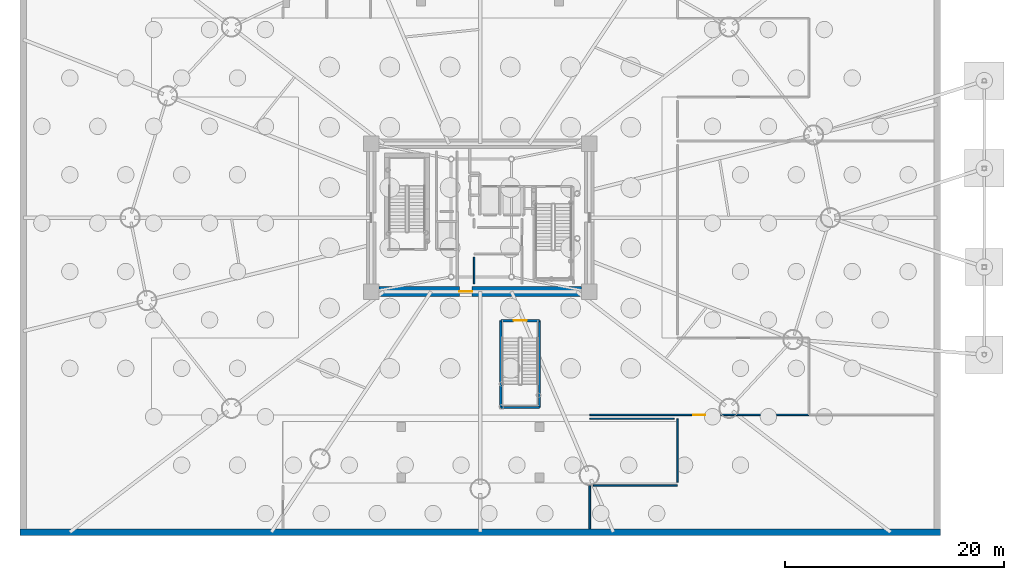
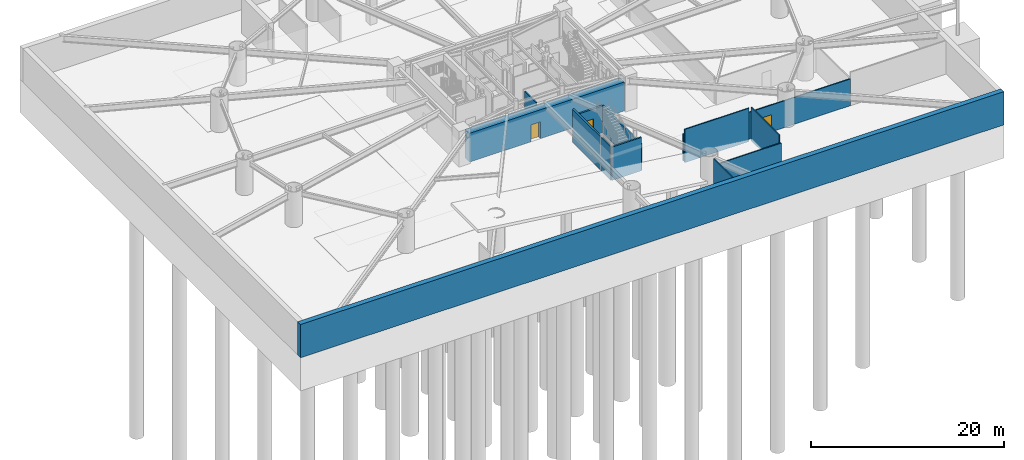
# One storey, part 9 of 18: 12 walls, 3 doors, 3 openings.
"""IFC4 building model written with IfcOpenShell, lengths in metres."""

from ifc_helpers import new_model, si_unit, direction, frame, frame_2d, origin, origin_2d, place, context, subcontext, project, spatial, rectangle, extrude, source, transform, mapped, material, layer, layer_set, type_object, element, fill, save


model = new_model("IFC4")

# Units and contexts
model_context = context("Model", 3, precision=1e-05, world=origin(), true_north=direction((0.0, 1.0)))
body_context = subcontext(model_context, "Body", "Model", "MODEL_VIEW")
ifc_project = project(units=[si_unit("LENGTHUNIT", "METRE"), si_unit("AREAUNIT", "SQUARE_METRE"), si_unit("VOLUMEUNIT", "CUBIC_METRE"), si_unit("PLANEANGLEUNIT", "RADIAN"), si_unit("MASSUNIT", "GRAM", prefix="KILO")], contexts=[model_context])

# Site, building, storey
site_placement = place(None, origin())
site = spatial("IfcSite", under=ifc_project, at=site_placement, CompositionType="ELEMENT")
building_placement = place(site_placement, origin())
building = spatial("IfcBuilding", under=site, at=building_placement, Name="Linh Dai School and Residence Tower", CompositionType="ELEMENT")
storey_placement = place(building_placement, frame((0.0, 0.0, -9.0)))
storey = spatial("IfcBuildingStorey", under=building, at=storey_placement, Name="B02", CompositionType="ELEMENT", Elevation=-9.0)

# Wall, opening, door
ifc_material_1 = material(Name="Autoclaved Aerated Concrete Blockwork", Category="masonry")
ifc_layer_1 = layer(ifc_material_1, 0.135009765625)
ifc_layer_set_1 = layer_set([ifc_layer_1], Name="Autoclaved Aerated Concrete Blockwork")
wall_type_1 = type_object("IfcWallType", Name="IW-CORR-135-EI90", PredefinedType="PARTITIONING", material=ifc_layer_set_1)
wall_1_placement = place(storey_placement, frame((46.0, 9.0, 0.0), z_axis=(0.0, 0.0, 1.0), x_axis=(1.0, 0.0, 0.0)))
wall_1 = element("IfcWall", 1, at=wall_1_placement, inside=storey, type_object=wall_type_1, Name="B02 Interior Partition Wall 032", PredefinedType="PARTITIONING", context=body_context, shape_type="SweptSolid", body=[
    extrude(rectangle(XDim=20.0, YDim=0.135009765625, at=frame_2d((10.0, 0.0))), origin(), (0.0, 0.0, 1.0), 3.385009765625),
])
opening_1_placement = place(wall_1_placement, frame((9.449951171875, 0.0, 0.0)))
opening_1 = element("IfcOpeningElement", 2, at=opening_1_placement, cuts=wall_1, Name="Opening D07", PredefinedType="OPENING", context=body_context, shape_type="SweptSolid", body=[
    extrude(rectangle(XDim=1.10009765625, YDim=2.14990234375, at=origin_2d()), frame((0.550048828125, 0.07763671875, 1.074951171875), z_axis=(0.0, -1.0, 0.0), x_axis=(1.0, 0.0, 0.0)), (0.0, 0.0, 1.0), 0.155029296875),
])
ifc_material_2 = material(Name="Fire-Rated Louvred Steel Plant Door", Category="steel")
door_type_1 = type_object("IfcDoorType", Name="DR-PLT-1100x2150-FD60S", OperationType="NOTDEFINED", PredefinedType="DOOR", material=ifc_material_2)
shared_shape_1 = source(origin(), body_context, "Body", "SweptSolid", [
    extrude(rectangle(XDim=1.10009765625, YDim=2.14990234375, at=origin_2d()), frame((0.550048828125, 0.02490234375, 1.074951171875), z_axis=(0.0, -1.0, 0.0), x_axis=(1.0, 0.0, 0.0)), (0.0, 0.0, 1.0), 0.050048828125),
])
door_1_placement = place(opening_1_placement, origin())
door_1 = element("IfcDoor", 3, at=door_1_placement, inside=storey, type_object=door_type_1, Name="B02 Fire Sprinkler and Booster Pump Plant Room Door", OperationType="SINGLE_SWING_RIGHT", OverallHeight=2.14990234375, OverallWidth=1.10009765625, PredefinedType="DOOR", context=body_context, shape_type="MappedRepresentation", body=[
    mapped(shared_shape_1, transform((0.0, 0.0, 0.0), x_axis=(1.0, 0.0, 0.0), y_axis=(0.0, 1.0, 0.0), z_axis=(0.0, 0.0, 1.0), scale=1.0)),
])
fill(opening_1, door_1)

# Walls
wall_2_placement = place(storey_placement, frame((35.449951171875, 23.392578125, 0.0), z_axis=(0.0, 0.0, 1.0), x_axis=(0.0, -1.0, 0.0)))
element("IfcWall", 4, at=wall_2_placement, inside=storey, type_object=wall_type_1, Name="B02 Interior Partition Wall 052", PredefinedType="PARTITIONING", context=body_context, shape_type="SweptSolid", body=[
    extrude(rectangle(XDim=2.4326171875, YDim=0.135009765625, at=frame_2d((1.21630859375, 0.0))), origin(), (0.0, 0.0, 1.0), 3.784912109375),
])
wall_3_placement = place(storey_placement, frame((46.3349609375, 2.550048828125, 0.0), z_axis=(0.0, 0.0, 1.0), x_axis=(1.0, 0.0, 0.0)))
element("IfcWall", 5, at=wall_3_placement, inside=storey, type_object=wall_type_1, Name="B02 Interior Partition Wall 054", PredefinedType="PARTITIONING", context=body_context, shape_type="SweptSolid", body=[
    extrude(rectangle(XDim=7.6650390625, YDim=0.135009765625, at=frame_2d((3.83251953125, 0.0))), origin(), (0.0, 0.0, 1.0), 3.385009765625),
])
wall_4_placement = place(storey_placement, frame((54.0, 2.857421875, 0.0), z_axis=(0.0, 0.0, 1.0), x_axis=(0.0, 1.0, 0.0)))
element("IfcWall", 6, at=wall_4_placement, inside=storey, type_object=wall_type_1, Name="B02 Interior Partition Wall 055", PredefinedType="PARTITIONING", context=body_context, shape_type="SweptSolid", body=[
    extrude(rectangle(XDim=5.79248046875, YDim=0.135009765625, at=frame_2d((2.896240234375, 0.0))), origin(), (0.0, 0.0, 1.0), 4.199951171875),
])
wall_5_placement = place(storey_placement, frame((53.6923828125, 8.64990234375, 0.0), z_axis=(0.0, 0.0, 1.0), x_axis=(-1.0, 0.0, 0.0)))
element("IfcWall", 7, at=wall_5_placement, inside=storey, type_object=wall_type_1, Name="B02 Interior Partition Wall 056", PredefinedType="PARTITIONING", context=body_context, shape_type="SweptSolid", body=[
    extrude(rectangle(XDim=7.6923828125, YDim=0.135009765625, at=frame_2d((3.84619140625, 0.0))), origin(), (0.0, 0.0, 1.0), 4.199951171875),
])
ifc_layer_2 = layer(ifc_material_1, 0.14990234375)
ifc_layer_set_2 = layer_set([ifc_layer_2], Name="Autoclaved Aerated Concrete Blockwork")
wall_type_2 = type_object("IfcWallType", Name="IW-SCH-150-EI60", PredefinedType="PARTITIONING", material=ifc_layer_set_2)
wall_6_placement = place(storey_placement, frame((46.0, -1.39990234375, 0.0), z_axis=(0.0, 0.0, 1.0), x_axis=(0.0, 1.0, 0.0)))
element("IfcWall", 8, at=wall_6_placement, inside=storey, type_object=wall_type_2, Name="B02 Interior Partition Wall 031", PredefinedType="PARTITIONING", context=body_context, shape_type="SweptSolid", body=[
    extrude(rectangle(XDim=3.949951171875, YDim=0.14990234375, at=frame_2d((1.97509765625, 0.0))), origin(), (0.0, 0.0, 1.0), 4.199951171875),
])
ifc_material_3 = material(Name="Concrete B45 (C35/45)", Category="concrete")
ifc_layer_3 = layer(ifc_material_3, 0.199951171875)
ifc_layer_set_3 = layer_set([ifc_layer_3], Name="Concrete B45 (C35/45)")
wall_type_3 = type_object("IfcWallType", Name="IW-SHAFT-200-EI120", PredefinedType="PARTITIONING", material=ifc_layer_set_3)
wall_7_placement = place(storey_placement, frame((37.8798828125, 9.679931640625, 0.0), z_axis=(0.0, 0.0, 1.0), x_axis=(0.0, 1.0, 0.0)))
element("IfcWall", 9, at=wall_7_placement, inside=storey, type_object=wall_type_3, Name="B02 Interior Partition Wall 020", PredefinedType="PARTITIONING", context=body_context, shape_type="SweptSolid", body=[
    extrude(rectangle(XDim=7.920166015625, YDim=0.199951171875, at=frame_2d((3.9599609375, 0.0))), origin(), (0.0, 0.0, 1.0), 4.199951171875),
])
wall_8_placement = place(storey_placement, frame((37.8798828125, 9.679931640625, 0.0), z_axis=(0.0, 0.0, 1.0), x_axis=(1.0, 0.0, 0.0)))
element("IfcWall", 10, at=wall_8_placement, inside=storey, type_object=wall_type_3, Name="B02 Interior Partition Wall 021", PredefinedType="PARTITIONING", context=body_context, shape_type="SweptSolid", body=[
    extrude(rectangle(XDim=3.5400390625, YDim=0.199951171875, at=frame_2d((1.77001953125, 0.0))), origin(), (0.0, 0.0, 1.0), 4.199951171875),
])

# Wall, opening, door
wall_9_placement = place(storey_placement, frame((37.8798828125, 17.60009765625, 0.0), z_axis=(0.0, 0.0, 1.0), x_axis=(1.0, 0.0, 0.0)))
wall_9 = element("IfcWall", 11, at=wall_9_placement, inside=storey, type_object=wall_type_3, Name="B02 Interior Partition Wall 022", PredefinedType="PARTITIONING", context=body_context, shape_type="SweptSolid", body=[
    extrude(rectangle(XDim=3.5400390625, YDim=0.199951171875, at=frame_2d((1.77001953125, 0.0))), origin(), (0.0, 0.0, 1.0), 3.385009765625),
])
opening_2_placement = place(wall_9_placement, frame((1.169921875, 0.0, 0.0)))
opening_2 = element("IfcOpeningElement", 12, at=opening_2_placement, cuts=wall_9, Name="Opening D01", PredefinedType="OPENING", context=body_context, shape_type="SweptSolid", body=[
    extrude(rectangle(XDim=1.199951171875, YDim=2.14990234375, at=origin_2d()), frame((0.60009765625, 0.10986328125, 1.074951171875), z_axis=(0.0, -1.0, 0.0), x_axis=(1.0, 0.0, 0.0)), (0.0, 0.0, 1.0), 0.219970703125),
])
ifc_material_4 = material(Name="Fire-Rated Steel Door Leaf", Category="steel")
door_type_2 = type_object("IfcDoorType", Name="DR-STAIR-1200x2150-FD90S", OperationType="NOTDEFINED", PredefinedType="DOOR", material=ifc_material_4)
shared_shape_2 = source(origin(), body_context, "Body", "SweptSolid", [
    extrude(rectangle(XDim=1.199951171875, YDim=2.14990234375, at=origin_2d()), frame((0.60009765625, 0.02490234375, 1.074951171875), z_axis=(0.0, -1.0, 0.0), x_axis=(1.0, 0.0, 0.0)), (0.0, 0.0, 1.0), 0.050048828125),
])
door_2_placement = place(opening_2_placement, origin())
door_2 = element("IfcDoor", 13, at=door_2_placement, inside=storey, type_object=door_type_2, Name="B02 Exit Stair STB1 Door", OperationType="SINGLE_SWING_LEFT", OverallHeight=2.14990234375, OverallWidth=1.199951171875, PredefinedType="DOOR", context=body_context, shape_type="MappedRepresentation", body=[
    mapped(shared_shape_2, transform((0.0, 0.0, 0.0), x_axis=(1.0, 0.0, 0.0), y_axis=(0.0, 1.0, 0.0), z_axis=(0.0, 0.0, 1.0), scale=1.0)),
])
fill(opening_2, door_2)

# Wall
wall_10_placement = place(storey_placement, frame((41.419921875, 9.679931640625, 0.0), z_axis=(0.0, 0.0, 1.0), x_axis=(0.0, 1.0, 0.0)))
element("IfcWall", 14, at=wall_10_placement, inside=storey, type_object=wall_type_3, Name="B02 Interior Partition Wall 029", PredefinedType="PARTITIONING", context=body_context, shape_type="SweptSolid", body=[
    extrude(rectangle(XDim=7.920166015625, YDim=0.199951171875, at=frame_2d((3.9599609375, 0.0))), origin(), (0.0, 0.0, 1.0), 3.385009765625),
])

# Wall, opening, door
ifc_material_5 = material(Name="Concrete B60 (C50/60)", Category="concrete")
ifc_layer_4 = layer(ifc_material_5, 0.89990234375)
ifc_layer_set_4 = layer_set([ifc_layer_4], Name="Concrete B60 (C50/60)")
wall_type_4 = type_object("IfcWallType", Name="WL-CORE900", PredefinedType="SHEAR", material=ifc_layer_set_4)
wall_11_placement = place(storey_placement, frame((45.25, 20.25, 0.0), z_axis=(0.0, 0.0, 1.0), x_axis=(-1.0, 0.0, 0.0)))
wall_11 = element("IfcWall", 15, at=wall_11_placement, inside=storey, type_object=wall_type_4, Name="B02 Central Core Shear Wall S", PredefinedType="SHEAR", context=body_context, shape_type="SweptSolid", body=[
    extrude(rectangle(XDim=18.5, YDim=0.89990234375, at=frame_2d((9.25, 0.0))), origin(), (0.0, 0.0, 1.0), 3.64990234375),
])
opening_3_placement = place(wall_11_placement, frame((10.0, 0.0, 0.0)))
opening_3 = element("IfcOpeningElement", 16, at=opening_3_placement, cuts=wall_11, Name="Opening D02", PredefinedType="OPENING", context=body_context, shape_type="SweptSolid", body=[
    extrude(rectangle(XDim=1.14990234375, YDim=2.14990234375, at=origin_2d()), frame((0.574951171875, 0.4599609375, 1.074951171875), z_axis=(0.0, -1.0, 0.0), x_axis=(1.0, 0.0, 0.0)), (0.0, 0.0, 1.0), 0.919921875),
])
ifc_material_6 = material(Name="Fire-Rated Glazed Steel Lobby Door", Category="steel")
door_type_3 = type_object("IfcDoorType", Name="DR-LOBBY-1150x2150-FD90S", OperationType="NOTDEFINED", PredefinedType="DOOR", material=ifc_material_6)
shared_shape_3 = source(origin(), body_context, "Body", "SweptSolid", [
    extrude(rectangle(XDim=1.14990234375, YDim=2.14990234375, at=origin_2d()), frame((0.574951171875, 0.02490234375, 1.074951171875), z_axis=(0.0, -1.0, 0.0), x_axis=(1.0, 0.0, 0.0)), (0.0, 0.0, 1.0), 0.050048828125),
])
door_3_placement = place(opening_3_placement, origin())
door_3 = element("IfcDoor", 17, at=door_3_placement, inside=storey, type_object=door_type_3, Name="B02 Passenger Foyer Access Door", OperationType="SINGLE_SWING_RIGHT", OverallHeight=2.14990234375, OverallWidth=1.14990234375, PredefinedType="DOOR", context=body_context, shape_type="MappedRepresentation", body=[
    mapped(shared_shape_3, transform((0.0, 0.0, 0.0), x_axis=(1.0, 0.0, 0.0), y_axis=(0.0, 1.0, 0.0), z_axis=(0.0, 0.0, 1.0), scale=1.0)),
])
fill(opening_3, door_3)

# Wall
ifc_layer_5 = layer(ifc_material_3, 0.60009765625)
ifc_layer_set_5 = layer_set([ifc_layer_5], Name="Concrete B45 (C35/45)")
wall_type_5 = type_object("IfcWallType", Name="WL-RET600", PredefinedType="SHEAR", material=ifc_layer_set_5)
wall_12_placement = place(storey_placement, frame((78.0, -1.699951171875, 0.0), z_axis=(0.0, 0.0, 1.0), x_axis=(-1.0, 0.0, 0.0)))
element("IfcWall", 18, at=wall_12_placement, inside=storey, type_object=wall_type_5, Name="B02 Basement Perimeter Retaining Wall S", PredefinedType="SHEAR", context=body_context, shape_type="SweptSolid", body=[
    extrude(rectangle(XDim=84.0, YDim=0.60009765625, at=frame_2d((42.0, 0.0))), origin(), (0.0, 0.0, 1.0), 4.199951171875),
])

save(model, "model.ifc")
